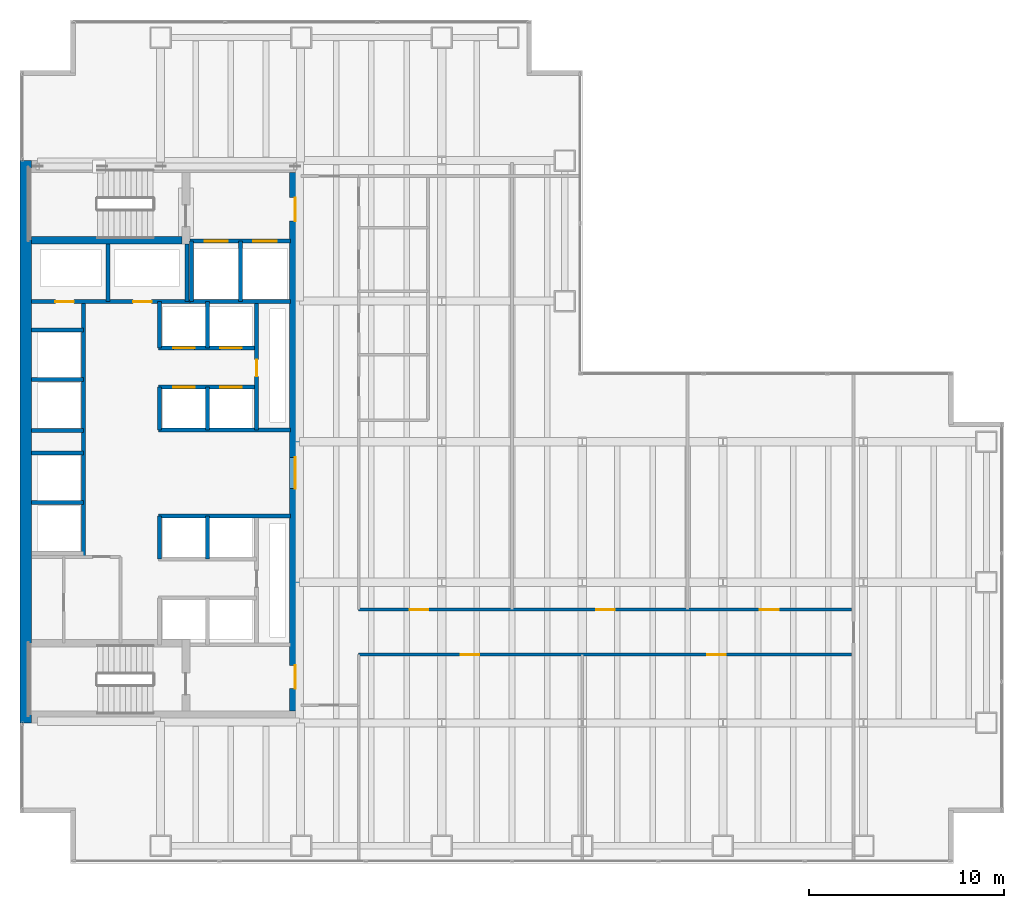
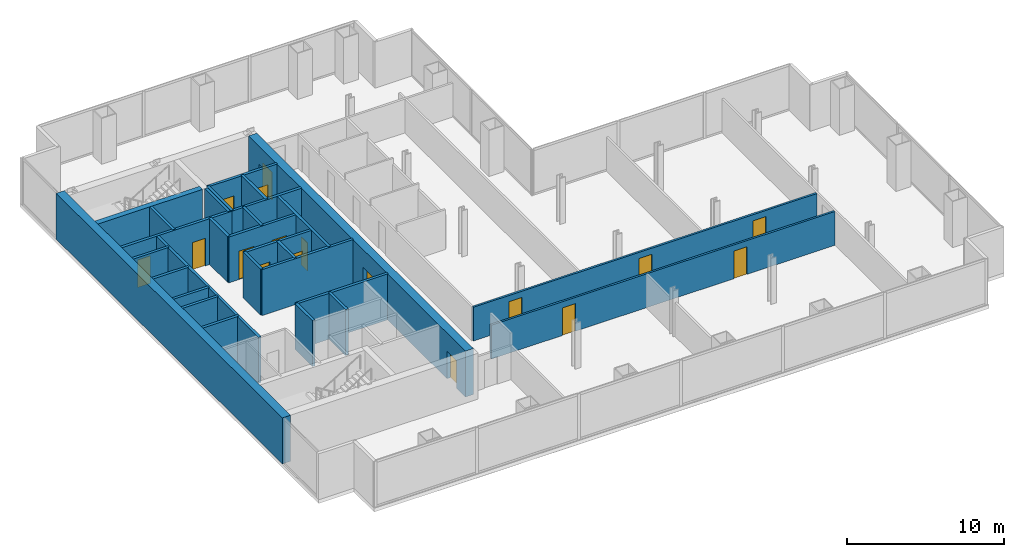
# One storey, part 21 of 23: 29 walls, 17 doors, 17 openings.
"""IFC4 building model written with IfcOpenShell, lengths in metres."""

from ifc_helpers import new_model, si_unit, direction, frame, frame_2d, origin, place, context, subcontext, project, spatial, rectangle, extrude, material, layer, layer_set, type_object, element, fill, save


model = new_model("IFC4")

# Units and contexts
model_context = context("Model", 3, precision=1e-05, world=origin(), true_north=direction((0.0, 1.0)))
body_context = subcontext(model_context, "Body", "Model", "MODEL_VIEW")
ifc_project = project(units=[si_unit("LENGTHUNIT", "METRE"), si_unit("AREAUNIT", "SQUARE_METRE"), si_unit("VOLUMEUNIT", "CUBIC_METRE"), si_unit("PLANEANGLEUNIT", "RADIAN"), si_unit("MASSUNIT", "GRAM", prefix="KILO")], contexts=[model_context])

# Site, building, storey
site_placement = place(None, origin())
site = spatial("IfcSite", under=ifc_project, at=site_placement, CompositionType="ELEMENT")
building_placement = place(site_placement, origin())
building = spatial("IfcBuilding", under=site, at=building_placement, Name="Cobrela Telecom Tower", CompositionType="ELEMENT")
storey_placement = place(building_placement, frame((0.0, 0.0, 38.85009765625)))
storey = spatial("IfcBuildingStorey", under=building, at=storey_placement, Name="L09", CompositionType="ELEMENT", Elevation=38.85009765625)

# Wall
ifc_material_1 = material(Name="Concrete C50/60", Category="concrete")
ifc_layer_1 = layer(ifc_material_1, 0.60009765625)
ifc_layer_set_1 = layer_set([ifc_layer_1], Name="Concrete C50/60")
wall_type_1 = type_object("IfcWallType", Name="WALL-CORE-C50-600", PredefinedType="SHEAR", material=ifc_layer_set_1)
wall_1_placement = place(storey_placement, frame((0.300048828125, 7.199951171875, 0.0), z_axis=(0.0, 0.0, 1.0), x_axis=(0.0, 1.0, 0.0)))
element("IfcWall", 1, at=wall_1_placement, inside=storey, type_object=wall_type_1, Name="L09 West Core Shear Wall", PredefinedType="SHEAR", context=body_context, shape_type="SweptSolid", body=[
    extrude(rectangle(XDim=28.800048828125, YDim=0.60009765625, at=frame_2d((14.39990234375, 0.0))), origin(), (0.0, 0.0, 1.0), 3.56982421875),
])

# Wall, openings, doors
wall_2_placement = place(storey_placement, frame((14.10009765625, 35.39990234375, 0.0), z_axis=(0.0, 0.0, 1.0), x_axis=(0.0, -1.0, 0.0)))
wall_2 = element("IfcWall", 2, at=wall_2_placement, inside=storey, type_object=wall_type_1, Name="L09 East Core Shear Wall", PredefinedType="SHEAR", context=body_context, shape_type="SweptSolid", body=[
    extrude(rectangle(XDim=27.599853515625, YDim=0.60009765625, at=frame_2d((13.7998046875, 0.0))), origin(), (0.0, 0.0, 1.0), 3.56982421875),
])
opening_1_placement = place(wall_2_placement, frame((1.300048828125, 0.0, 0.0)))
opening_1 = element("IfcOpeningElement", 3, at=opening_1_placement, cuts=wall_2, Name="Opening DR-19", PredefinedType="OPENING", context=body_context, shape_type="SweptSolid", body=[
    extrude(rectangle(XDim=1.199951171875, YDim=2.14990234375, at=frame_2d((0.60009765625, 1.074951171875))), frame((0.0, 0.31201171875, 0.0), z_axis=(0.0, -1.0, 0.0), x_axis=(1.0, 0.0, 0.0)), (0.0, 0.0, 1.0), 0.6240234375),
])
opening_2_placement = place(wall_2_placement, frame((25.25, 0.0, 0.0)))
opening_2 = element("IfcOpeningElement", 4, at=opening_2_placement, cuts=wall_2, Name="Opening DR-19", PredefinedType="OPENING", context=body_context, shape_type="SweptSolid", body=[
    extrude(rectangle(XDim=1.199951171875, YDim=2.14990234375, at=frame_2d((0.60009765625, 1.074951171875))), frame((0.0, 0.31201171875, 0.0), z_axis=(0.0, -1.0, 0.0), x_axis=(1.0, 0.0, 0.0)), (0.0, 0.0, 1.0), 0.6240234375),
])
opening_3_placement = place(wall_2_placement, frame((14.60009765625, 0.0, 0.0)))
opening_3 = element("IfcOpeningElement", 5, at=opening_3_placement, cuts=wall_2, Name="Opening DR-51", PredefinedType="OPENING", context=body_context, shape_type="SweptSolid", body=[
    extrude(rectangle(XDim=1.60009765625, YDim=2.199951171875, at=frame_2d((0.800048828125, 1.10009765625))), frame((0.0, 0.31201171875, 0.0), z_axis=(0.0, -1.0, 0.0), x_axis=(1.0, 0.0, 0.0)), (0.0, 0.0, 1.0), 0.6240234375),
])
ifc_material_2 = material(Name="Steel ASTM A36", Category="steel")
door_type_1 = type_object("IfcDoorType", Name="DOOR-FD60-1200", OperationType="SINGLE_SWING_LEFT", PredefinedType="DOOR", material=ifc_material_2)
door_1_placement = place(opening_1_placement, origin())
door_1 = element("IfcDoor", 6, at=door_1_placement, inside=storey, type_object=door_type_1, Name="L09 Door DR-19", OperationType="SINGLE_SWING_LEFT", OverallHeight=2.14990234375, OverallWidth=1.199951171875, PredefinedType="DOOR", context=body_context, shape_type="SweptSolid", body=[
    extrude(rectangle(XDim=1.199951171875, YDim=2.14990234375, at=frame_2d((0.60009765625, 1.074951171875))), frame((0.0, 0.02490234375, 0.0), z_axis=(0.0, -1.0, 0.0), x_axis=(1.0, 0.0, 0.0)), (0.0, 0.0, 1.0), 0.050048828125),
])
fill(opening_1, door_1)
door_2_placement = place(opening_2_placement, origin())
door_2 = element("IfcDoor", 7, at=door_2_placement, inside=storey, type_object=door_type_1, Name="L09 Door DR-19", OperationType="SINGLE_SWING_RIGHT", OverallHeight=2.14990234375, OverallWidth=1.199951171875, PredefinedType="DOOR", context=body_context, shape_type="SweptSolid", body=[
    extrude(rectangle(XDim=1.199951171875, YDim=2.14990234375, at=frame_2d((0.60009765625, 1.074951171875))), frame((0.0, 0.02490234375, 0.0), z_axis=(0.0, -1.0, 0.0), x_axis=(1.0, 0.0, 0.0)), (0.0, 0.0, 1.0), 0.050048828125),
])
fill(opening_2, door_2)
door_type_2 = type_object("IfcDoorType", Name="DOOR-FD60-1600", OperationType="SINGLE_SWING_LEFT", PredefinedType="DOOR", material=ifc_material_2)
door_3_placement = place(opening_3_placement, origin())
door_3 = element("IfcDoor", 8, at=door_3_placement, inside=storey, type_object=door_type_2, Name="L09 Door DR-51", OperationType="DOUBLE_DOOR_SINGLE_SWING", OverallHeight=2.199951171875, OverallWidth=1.60009765625, PredefinedType="DOOR", context=body_context, shape_type="SweptSolid", body=[
    extrude(rectangle(XDim=1.60009765625, YDim=2.199951171875, at=frame_2d((0.800048828125, 1.10009765625))), frame((0.0, 0.02490234375, 0.0), z_axis=(0.0, -1.0, 0.0), x_axis=(1.0, 0.0, 0.0)), (0.0, 0.0, 1.0), 0.050048828125),
])
fill(opening_3, door_3)

ifc_material_3 = material(Name="Fire-Rated Gypsum Plasterboard")
ifc_layer_2 = layer(ifc_material_3, 0.14990234375)
ifc_layer_set_2 = layer_set([ifc_layer_2], Name="Fire-Rated Gypsum Plasterboard")
wall_type_2 = type_object("IfcWallType", Name="WALL-PART-150", PredefinedType="PARTITIONING", material=ifc_layer_set_2)
wall_3_placement = place(storey_placement, frame((17.35009765625, 10.699951171875, 0.0), z_axis=(0.0, 0.0, 1.0), x_axis=(1.0, 0.0, 0.0)))
wall_3 = element("IfcWall", 9, at=wall_3_placement, inside=storey, type_object=wall_type_2, Name="L09 Interior Partition W-C-HS", PredefinedType="PARTITIONING", context=body_context, shape_type="SweptSolid", body=[
    extrude(rectangle(XDim=25.25, YDim=0.14990234375, at=frame_2d((12.625, 0.0))), origin(), (0.0, 0.0, 1.0), 2.6279296875),
])
opening_4_placement = place(wall_3_placement, frame((5.22998046875, 0.0, 0.0)))
opening_4 = element("IfcOpeningElement", 10, at=opening_4_placement, cuts=wall_3, Name="Opening DR-67", PredefinedType="OPENING", context=body_context, shape_type="SweptSolid", body=[
    extrude(rectangle(XDim=0.949951171875, YDim=2.14990234375, at=frame_2d((0.47509765625, 1.074951171875))), frame((0.0, 0.0869140625, 0.0), z_axis=(0.0, -1.0, 0.0), x_axis=(1.0, 0.0, 0.0)), (0.0, 0.0, 1.0), 0.173828125),
])
opening_5_placement = place(wall_3_placement, frame((17.85009765625, 0.0, 0.0)))
opening_5 = element("IfcOpeningElement", 11, at=opening_5_placement, cuts=wall_3, Name="Opening DR-67", PredefinedType="OPENING", context=body_context, shape_type="SweptSolid", body=[
    extrude(rectangle(XDim=0.949951171875, YDim=2.14990234375, at=frame_2d((0.47509765625, 1.074951171875))), frame((0.0, 0.0869140625, 0.0), z_axis=(0.0, -1.0, 0.0), x_axis=(1.0, 0.0, 0.0)), (0.0, 0.0, 1.0), 0.173828125),
])
ifc_material_4 = material(Name="Solid Engineered Oak Timber", Category="wood")
door_type_3 = type_object("IfcDoorType", Name="DOOR-INT-950", OperationType="SINGLE_SWING_LEFT", PredefinedType="DOOR", material=ifc_material_4)
door_4_placement = place(opening_4_placement, origin())
door_4 = element("IfcDoor", 12, at=door_4_placement, inside=storey, type_object=door_type_3, Name="L09 Door DR-67", OperationType="SINGLE_SWING_LEFT", OverallHeight=2.14990234375, OverallWidth=0.949951171875, PredefinedType="DOOR", context=body_context, shape_type="SweptSolid", body=[
    extrude(rectangle(XDim=0.949951171875, YDim=2.14990234375, at=frame_2d((0.47509765625, 1.074951171875))), frame((0.0, 0.02490234375, 0.0), z_axis=(0.0, -1.0, 0.0), x_axis=(1.0, 0.0, 0.0)), (0.0, 0.0, 1.0), 0.050048828125),
])
fill(opening_4, door_4)
door_5_placement = place(opening_5_placement, origin())
door_5 = element("IfcDoor", 13, at=door_5_placement, inside=storey, type_object=door_type_3, Name="L09 Door DR-67", OperationType="SINGLE_SWING_RIGHT", OverallHeight=2.14990234375, OverallWidth=0.949951171875, PredefinedType="DOOR", context=body_context, shape_type="SweptSolid", body=[
    extrude(rectangle(XDim=0.949951171875, YDim=2.14990234375, at=frame_2d((0.47509765625, 1.074951171875))), frame((0.0, 0.02490234375, 0.0), z_axis=(0.0, -1.0, 0.0), x_axis=(1.0, 0.0, 0.0)), (0.0, 0.0, 1.0), 0.050048828125),
])
fill(opening_5, door_5)

wall_4_placement = place(storey_placement, frame((17.35009765625, 13.0, 0.0), z_axis=(0.0, 0.0, 1.0), x_axis=(1.0, 0.0, 0.0)))
wall_4 = element("IfcWall", 14, at=wall_4_placement, inside=storey, type_object=wall_type_2, Name="L09 Interior Partition W-C-HN", PredefinedType="PARTITIONING", context=body_context, shape_type="SweptSolid", body=[
    extrude(rectangle(XDim=25.25, YDim=0.14990234375, at=frame_2d((12.625, 0.0))), origin(), (0.0, 0.0, 1.0), 2.6279296875),
])
opening_6_placement = place(wall_4_placement, frame((2.6201171875, 0.0, 0.0)))
opening_6 = element("IfcOpeningElement", 15, at=opening_6_placement, cuts=wall_4, Name="Opening DR-67", PredefinedType="OPENING", context=body_context, shape_type="SweptSolid", body=[
    extrude(rectangle(XDim=0.949951171875, YDim=2.14990234375, at=frame_2d((0.47509765625, 1.074951171875))), frame((0.0, 0.0869140625, 0.0), z_axis=(0.0, -1.0, 0.0), x_axis=(1.0, 0.0, 0.0)), (0.0, 0.0, 1.0), 0.173828125),
])
opening_7_placement = place(wall_4_placement, frame((12.169921875, 0.0, 0.0)))
opening_7 = element("IfcOpeningElement", 16, at=opening_7_placement, cuts=wall_4, Name="Opening DR-67", PredefinedType="OPENING", context=body_context, shape_type="SweptSolid", body=[
    extrude(rectangle(XDim=0.949951171875, YDim=2.14990234375, at=frame_2d((0.47509765625, 1.074951171875))), frame((0.0, 0.0869140625, 0.0), z_axis=(0.0, -1.0, 0.0), x_axis=(1.0, 0.0, 0.0)), (0.0, 0.0, 1.0), 0.173828125),
])
opening_8_placement = place(wall_4_placement, frame((20.550048828125, 0.0, 0.0)))
opening_8 = element("IfcOpeningElement", 17, at=opening_8_placement, cuts=wall_4, Name="Opening DR-67", PredefinedType="OPENING", context=body_context, shape_type="SweptSolid", body=[
    extrude(rectangle(XDim=0.949951171875, YDim=2.14990234375, at=frame_2d((0.47509765625, 1.074951171875))), frame((0.0, 0.0869140625, 0.0), z_axis=(0.0, -1.0, 0.0), x_axis=(1.0, 0.0, 0.0)), (0.0, 0.0, 1.0), 0.173828125),
])
door_6_placement = place(opening_6_placement, origin())
door_6 = element("IfcDoor", 18, at=door_6_placement, inside=storey, type_object=door_type_3, Name="L09 Door DR-67", OperationType="SINGLE_SWING_LEFT", OverallHeight=2.14990234375, OverallWidth=0.949951171875, PredefinedType="DOOR", context=body_context, shape_type="SweptSolid", body=[
    extrude(rectangle(XDim=0.949951171875, YDim=2.14990234375, at=frame_2d((0.47509765625, 1.074951171875))), frame((0.0, 0.02490234375, 0.0), z_axis=(0.0, -1.0, 0.0), x_axis=(1.0, 0.0, 0.0)), (0.0, 0.0, 1.0), 0.050048828125),
])
fill(opening_6, door_6)
door_7_placement = place(opening_7_placement, origin())
door_7 = element("IfcDoor", 19, at=door_7_placement, inside=storey, type_object=door_type_3, Name="L09 Door DR-67", OperationType="SINGLE_SWING_RIGHT", OverallHeight=2.14990234375, OverallWidth=0.949951171875, PredefinedType="DOOR", context=body_context, shape_type="SweptSolid", body=[
    extrude(rectangle(XDim=0.949951171875, YDim=2.14990234375, at=frame_2d((0.47509765625, 1.074951171875))), frame((0.0, 0.02490234375, 0.0), z_axis=(0.0, -1.0, 0.0), x_axis=(1.0, 0.0, 0.0)), (0.0, 0.0, 1.0), 0.050048828125),
])
fill(opening_7, door_7)
door_8_placement = place(opening_8_placement, origin())
door_8 = element("IfcDoor", 20, at=door_8_placement, inside=storey, type_object=door_type_3, Name="L09 Door DR-67", OperationType="SINGLE_SWING_LEFT", OverallHeight=2.14990234375, OverallWidth=0.949951171875, PredefinedType="DOOR", context=body_context, shape_type="SweptSolid", body=[
    extrude(rectangle(XDim=0.949951171875, YDim=2.14990234375, at=frame_2d((0.47509765625, 1.074951171875))), frame((0.0, 0.02490234375, 0.0), z_axis=(0.0, -1.0, 0.0), x_axis=(1.0, 0.0, 0.0)), (0.0, 0.0, 1.0), 0.050048828125),
])
fill(opening_8, door_8)

ifc_layer_3 = layer(ifc_material_3, 0.199951171875)
ifc_layer_set_3 = layer_set([ifc_layer_3], Name="Fire-Rated Gypsum Plasterboard")
wall_type_3 = type_object("IfcWallType", Name="WALL-SHAFT-200", PredefinedType="PARTITIONING", material=ifc_layer_set_3)
wall_5_placement = place(storey_placement, frame((8.699951171875, 31.8798828125, 0.0), z_axis=(0.0, 0.0, 1.0), x_axis=(1.0, 0.0, 0.0)))
wall_5 = element("IfcWall", 21, at=wall_5_placement, inside=storey, type_object=wall_type_3, Name="L09 Shaft Enclosure CW-FFL-S", PredefinedType="PARTITIONING", context=body_context, shape_type="SweptSolid", body=[
    extrude(rectangle(XDim=5.150146484375, YDim=0.199951171875, at=frame_2d((2.5751953125, 0.0))), origin(), (0.0, 0.0, 1.0), 3.56982421875),
])
opening_9_placement = place(wall_5_placement, frame((0.75, 0.0, 0.0)))
opening_9 = element("IfcOpeningElement", 22, at=opening_9_placement, cuts=wall_5, Name="Opening LD-2", PredefinedType="OPENING", context=body_context, shape_type="SweptSolid", body=[
    extrude(rectangle(XDim=1.199951171875, YDim=2.199951171875, at=frame_2d((0.60009765625, 1.10009765625))), frame((0.0, 0.11181640625, 0.0), z_axis=(0.0, -1.0, 0.0), x_axis=(1.0, 0.0, 0.0)), (0.0, 0.0, 1.0), 0.223876953125),
])
opening_10_placement = place(wall_5_placement, frame((3.25, 0.0, 0.0)))
opening_10 = element("IfcOpeningElement", 23, at=opening_10_placement, cuts=wall_5, Name="Opening LD-2", PredefinedType="OPENING", context=body_context, shape_type="SweptSolid", body=[
    extrude(rectangle(XDim=1.199951171875, YDim=2.199951171875, at=frame_2d((0.60009765625, 1.10009765625))), frame((0.0, 0.11181640625, 0.0), z_axis=(0.0, -1.0, 0.0), x_axis=(1.0, 0.0, 0.0)), (0.0, 0.0, 1.0), 0.223876953125),
])
door_type_4 = type_object("IfcDoorType", Name="DOOR-LD-FFL", OperationType="SINGLE_SWING_LEFT", PredefinedType="DOOR", material=ifc_material_2)
door_9_placement = place(opening_9_placement, origin())
door_9 = element("IfcDoor", 24, at=door_9_placement, inside=storey, type_object=door_type_4, Name="L09 Lift Landing Door LD-2", OperationType="DOUBLE_DOOR_SLIDING", OverallHeight=2.199951171875, OverallWidth=1.199951171875, PredefinedType="DOOR", context=body_context, shape_type="SweptSolid", body=[
    extrude(rectangle(XDim=1.199951171875, YDim=2.199951171875, at=frame_2d((0.60009765625, 1.10009765625))), frame((0.0, 0.02490234375, 0.0), z_axis=(0.0, -1.0, 0.0), x_axis=(1.0, 0.0, 0.0)), (0.0, 0.0, 1.0), 0.050048828125),
])
fill(opening_9, door_9)
door_10_placement = place(opening_10_placement, origin())
door_10 = element("IfcDoor", 25, at=door_10_placement, inside=storey, type_object=door_type_4, Name="L09 Lift Landing Door LD-2", OperationType="DOUBLE_DOOR_SLIDING", OverallHeight=2.199951171875, OverallWidth=1.199951171875, PredefinedType="DOOR", context=body_context, shape_type="SweptSolid", body=[
    extrude(rectangle(XDim=1.199951171875, YDim=2.199951171875, at=frame_2d((0.60009765625, 1.10009765625))), frame((0.0, 0.02490234375, 0.0), z_axis=(0.0, -1.0, 0.0), x_axis=(1.0, 0.0, 0.0)), (0.0, 0.0, 1.0), 0.050048828125),
])
fill(opening_10, door_10)

# Walls
wall_6_placement = place(storey_placement, frame((8.699951171875, 28.780029296875, 0.0), z_axis=(0.0, 0.0, 1.0), x_axis=(1.0, 0.0, 0.0)))
element("IfcWall", 26, at=wall_6_placement, inside=storey, type_object=wall_type_3, Name="L09 Shaft Enclosure CW-FFL-S2", PredefinedType="PARTITIONING", context=body_context, shape_type="SweptSolid", body=[
    extrude(rectangle(XDim=5.150146484375, YDim=0.199951171875, at=frame_2d((2.5751953125, 0.0))), origin(), (0.0, 0.0, 1.0), 3.56982421875),
])
for number, where, z_axis, x_axis, name in (
    (27, (8.780029296875, 28.780029296875, 0.0), (0.0, 0.0, 1.0), (0.0, 1.0, 0.0), "L09 Shaft Enclosure CW-FFL-W"),
    (28, (11.300048828125, 28.780029296875, 0.0), (0.0, 0.0, 1.0), (0.0, 1.0, 0.0), "L09 Shaft Enclosure CW-FFL-M"),
):
    element("IfcWall", number, at=place(storey_placement, frame(where, z_axis=z_axis, x_axis=x_axis)), inside=storey, type_object=wall_type_3, Name=name, PredefinedType="PARTITIONING", context=body_context, shape_type="SweptSolid", body=[
        extrude(rectangle(XDim=3.099853515625, YDim=0.199951171875, at=frame_2d((1.5498046875, 0.0))), origin(), (0.0, 0.0, 1.0), 3.56982421875),
    ])

# Wall, openings, doors
wall_7_placement = place(storey_placement, frame((0.60009765625, 28.780029296875, 0.0), z_axis=(0.0, 0.0, 1.0), x_axis=(1.0, 0.0, 0.0)))
wall_7 = element("IfcWall", 29, at=wall_7_placement, inside=storey, type_object=wall_type_3, Name="L09 Shaft Enclosure CW-RIS-S", PredefinedType="PARTITIONING", context=body_context, shape_type="SweptSolid", body=[
    extrude(rectangle(XDim=8.179931640625, YDim=0.199951171875, at=frame_2d((4.08984375, 0.0))), origin(), (0.0, 0.0, 1.0), 3.56982421875),
])
opening_11_placement = place(wall_7_placement, frame((1.2099609375, 0.0, 0.0)))
opening_11 = element("IfcOpeningElement", 30, at=opening_11_placement, cuts=wall_7, Name="Opening DR-65", PredefinedType="OPENING", context=body_context, shape_type="SweptSolid", body=[
    extrude(rectangle(XDim=0.949951171875, YDim=2.14990234375, at=frame_2d((0.47509765625, 1.074951171875))), frame((0.0, 0.11181640625, 0.0), z_axis=(0.0, -1.0, 0.0), x_axis=(1.0, 0.0, 0.0)), (0.0, 0.0, 1.0), 0.223876953125),
])
opening_12_placement = place(wall_7_placement, frame((5.18994140625, 0.0, 0.0)))
opening_12 = element("IfcOpeningElement", 31, at=opening_12_placement, cuts=wall_7, Name="Opening DR-65", PredefinedType="OPENING", context=body_context, shape_type="SweptSolid", body=[
    extrude(rectangle(XDim=0.949951171875, YDim=2.14990234375, at=frame_2d((0.47509765625, 1.074951171875))), frame((0.0, 0.11181640625, 0.0), z_axis=(0.0, -1.0, 0.0), x_axis=(1.0, 0.0, 0.0)), (0.0, 0.0, 1.0), 0.223876953125),
])
door_type_5 = type_object("IfcDoorType", Name="DOOR-FD60-950", OperationType="SINGLE_SWING_LEFT", PredefinedType="DOOR", material=ifc_material_2)
door_11_placement = place(opening_11_placement, origin())
door_11 = element("IfcDoor", 32, at=door_11_placement, inside=storey, type_object=door_type_5, Name="L09 Door DR-65", OperationType="SINGLE_SWING_LEFT", OverallHeight=2.14990234375, OverallWidth=0.949951171875, PredefinedType="DOOR", context=body_context, shape_type="SweptSolid", body=[
    extrude(rectangle(XDim=0.949951171875, YDim=2.14990234375, at=frame_2d((0.47509765625, 1.074951171875))), frame((0.0, 0.02490234375, 0.0), z_axis=(0.0, -1.0, 0.0), x_axis=(1.0, 0.0, 0.0)), (0.0, 0.0, 1.0), 0.050048828125),
])
fill(opening_11, door_11)
door_12_placement = place(opening_12_placement, origin())
door_12 = element("IfcDoor", 33, at=door_12_placement, inside=storey, type_object=door_type_5, Name="L09 Door DR-65", OperationType="SINGLE_SWING_RIGHT", OverallHeight=2.14990234375, OverallWidth=0.949951171875, PredefinedType="DOOR", context=body_context, shape_type="SweptSolid", body=[
    extrude(rectangle(XDim=0.949951171875, YDim=2.14990234375, at=frame_2d((0.47509765625, 1.074951171875))), frame((0.0, 0.02490234375, 0.0), z_axis=(0.0, -1.0, 0.0), x_axis=(1.0, 0.0, 0.0)), (0.0, 0.0, 1.0), 0.050048828125),
])
fill(opening_12, door_12)

# Walls
for number, where, z_axis, x_axis, name in (
    (34, (4.5, 28.780029296875, 0.0), (0.0, 0.0, 1.0), (0.0, 1.0, 0.0), "L09 Shaft Enclosure CW-RIS-M"),
    (35, (8.550048828125, 28.780029296875, 0.0), (0.0, 0.0, 1.0), (0.0, 1.0, 0.0), "L09 Shaft Enclosure CW-RIS-E"),
):
    element("IfcWall", number, at=place(storey_placement, frame(where, z_axis=z_axis, x_axis=x_axis)), inside=storey, type_object=wall_type_3, Name=name, PredefinedType="PARTITIONING", context=body_context, shape_type="SweptSolid", body=[
        extrude(rectangle(XDim=2.93994140625, YDim=0.199951171875, at=frame_2d((1.469970703125, 0.0))), origin(), (0.0, 0.0, 1.0), 3.56982421875),
    ])
wall_8_placement = place(storey_placement, frame((3.25, 15.699951171875, 0.0), z_axis=(0.0, 0.0, 1.0), x_axis=(0.0, 1.0, 0.0)))
element("IfcWall", 36, at=wall_8_placement, inside=storey, type_object=wall_type_3, Name="L09 Shaft Enclosure CW-PLH-E", PredefinedType="PARTITIONING", context=body_context, shape_type="SweptSolid", body=[
    extrude(rectangle(XDim=13.080078125, YDim=0.199951171875, at=frame_2d((6.5400390625, 0.0))), origin(), (0.0, 0.0, 1.0), 3.56982421875),
])
for number, where, z_axis, x_axis, name in (
    (37, (0.60009765625, 18.47998046875, 0.0), (0.0, 0.0, 1.0), (1.0, 0.0, 0.0), "L09 Shaft Enclosure CW-PLH-D10"),
    (38, (0.60009765625, 22.179931640625, 0.0), (0.0, 0.0, 1.0), (1.0, 0.0, 0.0), "L09 Shaft Enclosure CW-PLH-D11"),
    (39, (0.60009765625, 24.780029296875, 0.0), (0.0, 0.0, 1.0), (1.0, 0.0, 0.0), "L09 Shaft Enclosure CW-PLH-D12"),
    (40, (0.60009765625, 21.02001953125, 0.0), (0.0, 0.0, 1.0), (1.0, 0.0, 0.0), "L09 Shaft Enclosure CW-PLH-MID"),
    (41, (0.60009765625, 27.320068359375, 0.0), (0.0, 0.0, 1.0), (1.0, 0.0, 0.0), "L09 Shaft Enclosure CW-PLH-TOP"),
):
    element("IfcWall", number, at=place(storey_placement, frame(where, z_axis=z_axis, x_axis=x_axis)), inside=storey, type_object=wall_type_3, Name=name, PredefinedType="PARTITIONING", context=body_context, shape_type="SweptSolid", body=[
        extrude(rectangle(XDim=2.64990234375, YDim=0.199951171875, at=frame_2d((1.324951171875, 0.0))), origin(), (0.0, 0.0, 1.0), 3.56982421875),
    ])
wall_9_placement = place(storey_placement, frame((7.10009765625, 22.199951171875, 0.0), z_axis=(0.0, 0.0, 1.0), x_axis=(1.0, 0.0, 0.0)))
element("IfcWall", 42, at=wall_9_placement, inside=storey, type_object=wall_type_3, Name="L09 Shaft Enclosure CW-PLL-B0", PredefinedType="PARTITIONING", context=body_context, shape_type="SweptSolid", body=[
    extrude(rectangle(XDim=6.75, YDim=0.199951171875, at=frame_2d((3.375, 0.0))), origin(), (0.0, 0.0, 1.0), 3.56982421875),
])

# Wall, openings, doors
wall_10_placement = place(storey_placement, frame((7.10009765625, 24.39990234375, 0.0), z_axis=(0.0, 0.0, 1.0), x_axis=(1.0, 0.0, 0.0)))
wall_10 = element("IfcWall", 43, at=wall_10_placement, inside=storey, type_object=wall_type_3, Name="L09 Shaft Enclosure CW-PLL-S", PredefinedType="PARTITIONING", context=body_context, shape_type="SweptSolid", body=[
    extrude(rectangle(XDim=5.02001953125, YDim=0.199951171875, at=frame_2d((2.510009765625, 0.0))), origin(), (0.0, 0.0, 1.0), 3.56982421875),
])
opening_13_placement = place(wall_10_placement, frame((0.75, 0.0, 0.0)))
opening_13 = element("IfcOpeningElement", 44, at=opening_13_placement, cuts=wall_10, Name="Opening LD-1", PredefinedType="OPENING", context=body_context, shape_type="SweptSolid", body=[
    extrude(rectangle(XDim=1.10009765625, YDim=2.199951171875, at=frame_2d((0.550048828125, 1.10009765625))), frame((0.0, 0.11181640625, 0.0), z_axis=(0.0, -1.0, 0.0), x_axis=(1.0, 0.0, 0.0)), (0.0, 0.0, 1.0), 0.223876953125),
])
opening_14_placement = place(wall_10_placement, frame((3.14990234375, 0.0, 0.0)))
opening_14 = element("IfcOpeningElement", 45, at=opening_14_placement, cuts=wall_10, Name="Opening LD-1", PredefinedType="OPENING", context=body_context, shape_type="SweptSolid", body=[
    extrude(rectangle(XDim=1.10009765625, YDim=2.199951171875, at=frame_2d((0.550048828125, 1.10009765625))), frame((0.0, 0.11181640625, 0.0), z_axis=(0.0, -1.0, 0.0), x_axis=(1.0, 0.0, 0.0)), (0.0, 0.0, 1.0), 0.223876953125),
])
door_type_6 = type_object("IfcDoorType", Name="DOOR-LD-PL", OperationType="SINGLE_SWING_LEFT", PredefinedType="DOOR", material=ifc_material_2)
door_13_placement = place(opening_13_placement, origin())
door_13 = element("IfcDoor", 46, at=door_13_placement, inside=storey, type_object=door_type_6, Name="L09 Lift Landing Door LD-1", OperationType="DOUBLE_DOOR_SLIDING", OverallHeight=2.199951171875, OverallWidth=1.10009765625, PredefinedType="DOOR", context=body_context, shape_type="SweptSolid", body=[
    extrude(rectangle(XDim=1.10009765625, YDim=2.199951171875, at=frame_2d((0.550048828125, 1.10009765625))), frame((0.0, 0.02490234375, 0.0), z_axis=(0.0, -1.0, 0.0), x_axis=(1.0, 0.0, 0.0)), (0.0, 0.0, 1.0), 0.050048828125),
])
fill(opening_13, door_13)
door_14_placement = place(opening_14_placement, origin())
door_14 = element("IfcDoor", 47, at=door_14_placement, inside=storey, type_object=door_type_6, Name="L09 Lift Landing Door LD-1", OperationType="DOUBLE_DOOR_SLIDING", OverallHeight=2.199951171875, OverallWidth=1.10009765625, PredefinedType="DOOR", context=body_context, shape_type="SweptSolid", body=[
    extrude(rectangle(XDim=1.10009765625, YDim=2.199951171875, at=frame_2d((0.550048828125, 1.10009765625))), frame((0.0, 0.02490234375, 0.0), z_axis=(0.0, -1.0, 0.0), x_axis=(1.0, 0.0, 0.0)), (0.0, 0.0, 1.0), 0.050048828125),
])
fill(opening_14, door_14)

wall_11_placement = place(storey_placement, frame((7.10009765625, 26.39990234375, 0.0), z_axis=(0.0, 0.0, 1.0), x_axis=(1.0, 0.0, 0.0)))
wall_11 = element("IfcWall", 48, at=wall_11_placement, inside=storey, type_object=wall_type_3, Name="L09 Shaft Enclosure CW-PLL-N", PredefinedType="PARTITIONING", context=body_context, shape_type="SweptSolid", body=[
    extrude(rectangle(XDim=5.02001953125, YDim=0.199951171875, at=frame_2d((2.510009765625, 0.0))), origin(), (0.0, 0.0, 1.0), 3.56982421875),
])
opening_15_placement = place(wall_11_placement, frame((0.75, 0.0, 0.0)))
opening_15 = element("IfcOpeningElement", 49, at=opening_15_placement, cuts=wall_11, Name="Opening LD-1", PredefinedType="OPENING", context=body_context, shape_type="SweptSolid", body=[
    extrude(rectangle(XDim=1.10009765625, YDim=2.199951171875, at=frame_2d((0.550048828125, 1.10009765625))), frame((0.0, 0.11181640625, 0.0), z_axis=(0.0, -1.0, 0.0), x_axis=(1.0, 0.0, 0.0)), (0.0, 0.0, 1.0), 0.223876953125),
])
opening_16_placement = place(wall_11_placement, frame((3.14990234375, 0.0, 0.0)))
opening_16 = element("IfcOpeningElement", 50, at=opening_16_placement, cuts=wall_11, Name="Opening LD-1", PredefinedType="OPENING", context=body_context, shape_type="SweptSolid", body=[
    extrude(rectangle(XDim=1.10009765625, YDim=2.199951171875, at=frame_2d((0.550048828125, 1.10009765625))), frame((0.0, 0.11181640625, 0.0), z_axis=(0.0, -1.0, 0.0), x_axis=(1.0, 0.0, 0.0)), (0.0, 0.0, 1.0), 0.223876953125),
])
door_15_placement = place(opening_15_placement, origin())
door_15 = element("IfcDoor", 51, at=door_15_placement, inside=storey, type_object=door_type_6, Name="L09 Lift Landing Door LD-1", OperationType="DOUBLE_DOOR_SLIDING", OverallHeight=2.199951171875, OverallWidth=1.10009765625, PredefinedType="DOOR", context=body_context, shape_type="SweptSolid", body=[
    extrude(rectangle(XDim=1.10009765625, YDim=2.199951171875, at=frame_2d((0.550048828125, 1.10009765625))), frame((0.0, 0.02490234375, 0.0), z_axis=(0.0, -1.0, 0.0), x_axis=(1.0, 0.0, 0.0)), (0.0, 0.0, 1.0), 0.050048828125),
])
fill(opening_15, door_15)
door_16_placement = place(opening_16_placement, origin())
door_16 = element("IfcDoor", 52, at=door_16_placement, inside=storey, type_object=door_type_6, Name="L09 Lift Landing Door LD-1", OperationType="DOUBLE_DOOR_SLIDING", OverallHeight=2.199951171875, OverallWidth=1.10009765625, PredefinedType="DOOR", context=body_context, shape_type="SweptSolid", body=[
    extrude(rectangle(XDim=1.10009765625, YDim=2.199951171875, at=frame_2d((0.550048828125, 1.10009765625))), frame((0.0, 0.02490234375, 0.0), z_axis=(0.0, -1.0, 0.0), x_axis=(1.0, 0.0, 0.0)), (0.0, 0.0, 1.0), 0.050048828125),
])
fill(opening_16, door_16)

# Walls
wall_12_placement = place(storey_placement, frame((7.14990234375, 22.199951171875, 0.0), z_axis=(0.0, 0.0, 1.0), x_axis=(0.0, 1.0, 0.0)))
element("IfcWall", 53, at=wall_12_placement, inside=storey, type_object=wall_type_3, Name="L09 Shaft Enclosure CW-PLL-V1", PredefinedType="PARTITIONING", context=body_context, shape_type="SweptSolid", body=[
    extrude(rectangle(XDim=2.199951171875, YDim=0.199951171875, at=frame_2d((1.10009765625, 0.0))), origin(), (0.0, 0.0, 1.0), 3.56982421875),
])
wall_13_placement = place(storey_placement, frame((7.14990234375, 26.39990234375, 0.0), z_axis=(0.0, 0.0, 1.0), x_axis=(0.0, 1.0, 0.0)))
element("IfcWall", 54, at=wall_13_placement, inside=storey, type_object=wall_type_3, Name="L09 Shaft Enclosure CW-PLL-V1B", PredefinedType="PARTITIONING", context=body_context, shape_type="SweptSolid", body=[
    extrude(rectangle(XDim=2.380126953125, YDim=0.199951171875, at=frame_2d((1.18994140625, 0.0))), origin(), (0.0, 0.0, 1.0), 3.56982421875),
])
wall_14_placement = place(storey_placement, frame((9.60009765625, 22.199951171875, 0.0), z_axis=(0.0, 0.0, 1.0), x_axis=(0.0, 1.0, 0.0)))
element("IfcWall", 55, at=wall_14_placement, inside=storey, type_object=wall_type_3, Name="L09 Shaft Enclosure CW-PLL-V2", PredefinedType="PARTITIONING", context=body_context, shape_type="SweptSolid", body=[
    extrude(rectangle(XDim=2.199951171875, YDim=0.199951171875, at=frame_2d((1.10009765625, 0.0))), origin(), (0.0, 0.0, 1.0), 3.56982421875),
])
wall_15_placement = place(storey_placement, frame((9.60009765625, 26.39990234375, 0.0), z_axis=(0.0, 0.0, 1.0), x_axis=(0.0, 1.0, 0.0)))
element("IfcWall", 56, at=wall_15_placement, inside=storey, type_object=wall_type_3, Name="L09 Shaft Enclosure CW-PLL-V2B", PredefinedType="PARTITIONING", context=body_context, shape_type="SweptSolid", body=[
    extrude(rectangle(XDim=2.380126953125, YDim=0.199951171875, at=frame_2d((1.18994140625, 0.0))), origin(), (0.0, 0.0, 1.0), 3.56982421875),
])

# Wall, opening, door
wall_16_placement = place(storey_placement, frame((12.1201171875, 22.199951171875, 0.0), z_axis=(0.0, 0.0, 1.0), x_axis=(0.0, 1.0, 0.0)))
wall_16 = element("IfcWall", 57, at=wall_16_placement, inside=storey, type_object=wall_type_3, Name="L09 Shaft Enclosure CW-PLL-V3", PredefinedType="PARTITIONING", context=body_context, shape_type="SweptSolid", body=[
    extrude(rectangle(XDim=6.580078125, YDim=0.199951171875, at=frame_2d((3.2900390625, 0.0))), origin(), (0.0, 0.0, 1.0), 3.56982421875),
])
opening_17_placement = place(wall_16_placement, frame((2.75, 0.0, 0.0)))
opening_17 = element("IfcOpeningElement", 58, at=opening_17_placement, cuts=wall_16, Name="Opening DR-11", PredefinedType="OPENING", context=body_context, shape_type="SweptSolid", body=[
    extrude(rectangle(XDim=0.85009765625, YDim=2.14990234375, at=frame_2d((0.425048828125, 1.074951171875))), frame((0.0, 0.11181640625, 0.0), z_axis=(0.0, -1.0, 0.0), x_axis=(1.0, 0.0, 0.0)), (0.0, 0.0, 1.0), 0.223876953125),
])
door_type_7 = type_object("IfcDoorType", Name="DOOR-INT-850", OperationType="SINGLE_SWING_LEFT", PredefinedType="DOOR", material=ifc_material_4)
door_17_placement = place(opening_17_placement, origin())
door_17 = element("IfcDoor", 59, at=door_17_placement, inside=storey, type_object=door_type_7, Name="L09 Door DR-11", OperationType="SINGLE_SWING_LEFT", OverallHeight=2.14990234375, OverallWidth=0.85009765625, PredefinedType="DOOR", context=body_context, shape_type="SweptSolid", body=[
    extrude(rectangle(XDim=0.85009765625, YDim=2.14990234375, at=frame_2d((0.425048828125, 1.074951171875))), frame((0.0, 0.02490234375, 0.0), z_axis=(0.0, -1.0, 0.0), x_axis=(1.0, 0.0, 0.0)), (0.0, 0.0, 1.0), 0.050048828125),
])
fill(opening_17, door_17)

# Walls
wall_17_placement = place(storey_placement, frame((7.10009765625, 17.800048828125, 0.0), z_axis=(0.0, 0.0, 1.0), x_axis=(1.0, 0.0, 0.0)))
element("IfcWall", 60, at=wall_17_placement, inside=storey, type_object=wall_type_3, Name="L09 Shaft Enclosure CW-PLM-T0", PredefinedType="PARTITIONING", context=body_context, shape_type="SweptSolid", body=[
    extrude(rectangle(XDim=6.75, YDim=0.199951171875, at=frame_2d((3.375, 0.0))), origin(), (0.0, 0.0, 1.0), 3.56982421875),
])
for number, where, z_axis, x_axis, name in (
    (61, (7.14990234375, 15.60009765625, 0.0), (0.0, 0.0, 1.0), (0.0, 1.0, 0.0), "L09 Shaft Enclosure CW-PLM-V1"),
    (62, (9.60009765625, 15.60009765625, 0.0), (0.0, 0.0, 1.0), (0.0, 1.0, 0.0), "L09 Shaft Enclosure CW-PLM-V2"),
):
    element("IfcWall", number, at=place(storey_placement, frame(where, z_axis=z_axis, x_axis=x_axis)), inside=storey, type_object=wall_type_3, Name=name, PredefinedType="PARTITIONING", context=body_context, shape_type="SweptSolid", body=[
        extrude(rectangle(XDim=2.199951171875, YDim=0.199951171875, at=frame_2d((1.10009765625, 0.0))), origin(), (0.0, 0.0, 1.0), 3.56982421875),
    ])
ifc_material_5 = material(Name="Concrete C40/50", Category="concrete")
ifc_layer_4 = layer(ifc_material_5, 0.39990234375)
ifc_layer_set_4 = layer_set([ifc_layer_4], Name="Concrete C40/50")
wall_type_4 = type_object("IfcWallType", Name="WALL-SHAFT-C40-400", PredefinedType="SHEAR", material=ifc_layer_set_4)
wall_18_placement = place(storey_placement, frame((0.60009765625, 31.919921875, 0.0), z_axis=(0.0, 0.0, 1.0), x_axis=(1.0, 0.0, 0.0)))
element("IfcWall", 63, at=wall_18_placement, inside=storey, type_object=wall_type_4, Name="L09 North Stair Shear Wall", PredefinedType="SHEAR", context=body_context, shape_type="SweptSolid", body=[
    extrude(rectangle(XDim=7.699951171875, YDim=0.39990234375, at=frame_2d((3.85009765625, 0.0))), origin(), (0.0, 0.0, 1.0), 3.56982421875),
])

save(model, "model.ifc")
